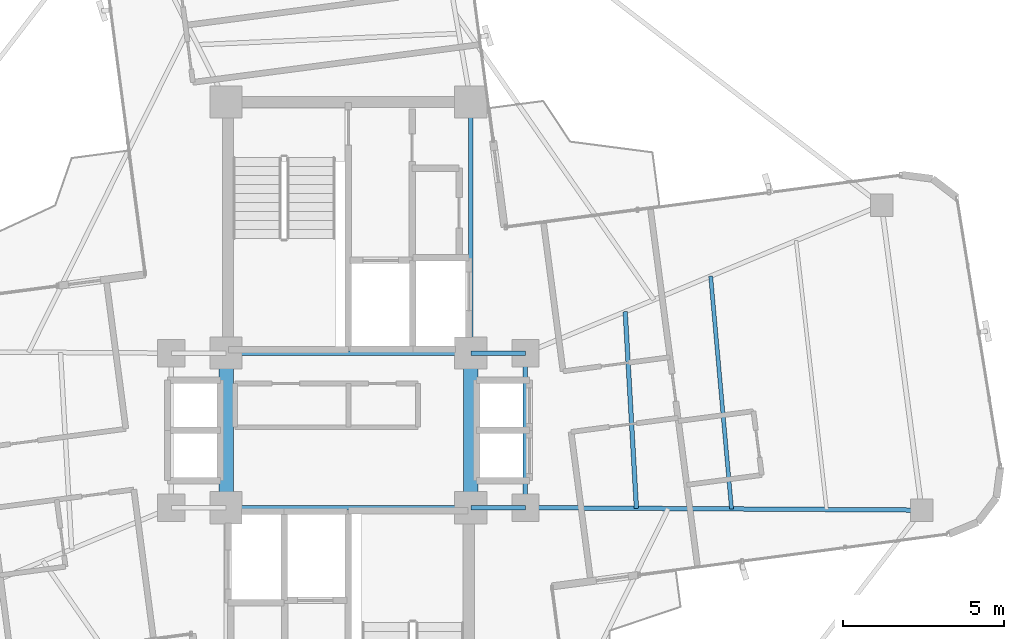
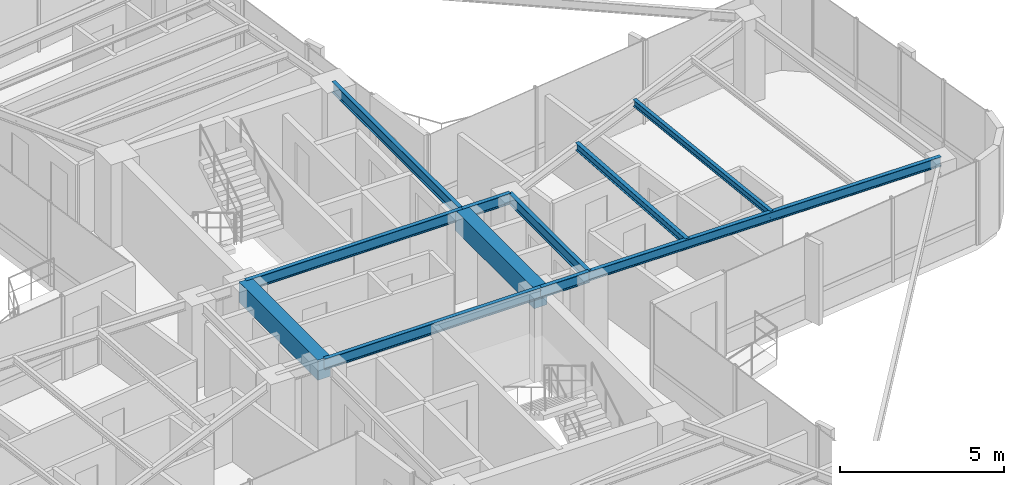
# One storey, part 10 of 22: 11 beams.
"""IFC4 building model written with IfcOpenShell, lengths in metres."""

import ifcopenshell
import ifcopenshell.guid

model = None  # the IFC model being written
_history = None  # IfcOwnerHistory: only IFC2X3 demands one
_inside = {}  # id of a spatial element -> (the spatial element, [elements in it])
_under = {}  # id of a project, library or spatial element -> (it, [spatial elements below it])
_declared = {}  # id of a project -> (the project, [libraries it declares])
_typed = {}  # id of a type object -> (the type object, [elements of that type])
_made_of = {}  # id of a material, layer set ... -> (it, [elements and type objects made of it])


def new_model(schema):
    """Start an empty IFC model of exactly this schema.

    Asked for "IFC4X3", IfcOpenShell would pick the latest addendum, in which some entities
    have other attributes; the version numbers below select the first issue.
    IFC2X3 requires an IfcOwnerHistory on every rooted entity: one is made here for all.
    """
    global model, _history
    if schema == "IFC4X3":
        model = ifcopenshell.file(schema_version=(4, 3, 0, 0))
    else:
        model = ifcopenshell.file(schema=schema)
    _inside.clear()
    _under.clear()
    _declared.clear()
    _typed.clear()
    _made_of.clear()
    _history = None
    if model.schema == "IFC2X3":
        org = make("IfcOrganization", Name="unknown")
        user = make(
            "IfcPersonAndOrganization",
            ThePerson=make("IfcPerson", FamilyName="unknown"),
            TheOrganization=org,
        )
        app = make(
            "IfcApplication",
            ApplicationDeveloper=org,
            Version="unknown",
            ApplicationFullName="unknown",
            ApplicationIdentifier="unknown",
        )
        _history = make(
            "IfcOwnerHistory",
            OwningUser=user,
            OwningApplication=app,
            ChangeAction="ADDED",
            CreationDate=0,
        )
    return model


def make(cls, **values):
    """One entity of the class cls with the attributes given. An attribute that is None is left unset."""
    return model.create_entity(
        cls, **{name: value for name, value in values.items() if value is not None}
    )


def rooted(cls, **values):
    """An entity with a GlobalId (a new one), such as an element, a storey or a relation."""
    return make(cls, GlobalId=ifcopenshell.guid.new(), OwnerHistory=_history, **values)


def si_unit(unit_type, name, prefix=None):
    """IfcSIUnit, for example si_unit("LENGTHUNIT", "METRE", prefix="MILLI")."""
    return make("IfcSIUnit", UnitType=unit_type, Prefix=prefix, Name=name)


def assignment(units):
    """IfcUnitAssignment: the units of a project."""
    return None if units is None else make("IfcUnitAssignment", Units=units)


def point(xyz):
    """IfcCartesianPoint."""
    return None if xyz is None else make("IfcCartesianPoint", Coordinates=xyz)


def direction(xyz):
    """IfcDirection."""
    return None if xyz is None else make("IfcDirection", DirectionRatios=xyz)


def frame(location, z_axis=None, x_axis=None):
    """IfcAxis2Placement3D, a coordinate frame: its origin and axes. An axis left out is left unset."""
    return make(
        "IfcAxis2Placement3D",
        Location=point(location),
        Axis=direction(z_axis),
        RefDirection=direction(x_axis),
    )


def frame_2d(location, x_axis=None):
    """IfcAxis2Placement2D, a coordinate frame in the plane: its origin and x axis."""
    return make(
        "IfcAxis2Placement2D", Location=point(location), RefDirection=direction(x_axis)
    )


def origin():
    """The frame at (0, 0, 0) with its axes left unset."""
    return frame((0.0, 0.0, 0.0))


def origin_2d():
    """The frame at (0, 0) in the plane with its x axis left unset."""
    return frame_2d((0.0, 0.0))


def place(relative_to, where):
    """IfcLocalPlacement: puts the frame where relative to a parent placement (None: the world)."""
    return make(
        "IfcLocalPlacement", PlacementRelTo=relative_to, RelativePlacement=where
    )


def context(
    kind, dimensions, precision=None, world=None, true_north=None, identifier=None
):
    """IfcGeometricRepresentationContext, for example the 3D "Model" context."""
    return make(
        "IfcGeometricRepresentationContext",
        ContextIdentifier=identifier,
        ContextType=kind,
        CoordinateSpaceDimension=dimensions,
        Precision=precision,
        WorldCoordinateSystem=world,
        TrueNorth=true_north,
    )


def subcontext(parent, identifier, kind, view, scale=None):
    """IfcGeometricRepresentationSubContext, for example "Body" below "Model"."""
    return make(
        "IfcGeometricRepresentationSubContext",
        ContextIdentifier=identifier,
        ContextType=kind,
        ParentContext=parent,
        TargetScale=scale,
        TargetView=view,
    )


def project(units=None, contexts=None):
    """IfcProject with its units and contexts."""
    return rooted(
        "IfcProject",
        Name="project",
        RepresentationContexts=contexts,
        UnitsInContext=assignment(units),
    )


def spatial(cls, under=None, at=None, **own):
    """A site, building, storey or space (cls), placed at a placement, below another one or the project."""
    s = rooted(cls, ObjectPlacement=at, **own)
    if under is not None:
        _under.setdefault(under.id(), (under, []))[1].append(s)
    return s


def profile(cls, at=None, kind="AREA", **sizes):
    """A parametric profile (cls). Its sizes go by their IFC names, for example OverallWidth=200.0."""
    return make(cls, ProfileType=kind, Position=at, **sizes)


def rectangle(**sizes):
    """IfcRectangleProfileDef."""
    return profile("IfcRectangleProfileDef", **sizes)


def i_section(**sizes):
    """IfcIShapeProfileDef."""
    return profile("IfcIShapeProfileDef", **sizes)


def extrude(swept, where, along, depth):
    """IfcExtrudedAreaSolid: the profile swept, set in the frame where, extruded along a direction by depth."""
    return make(
        "IfcExtrudedAreaSolid",
        SweptArea=swept,
        Position=where,
        ExtrudedDirection=direction(along),
        Depth=depth,
    )


def shape(context_of_items, identifier, shape_type, items):
    """IfcShapeRepresentation: the items that make up one representation, for example the "Body"."""
    return make(
        "IfcShapeRepresentation",
        ContextOfItems=context_of_items,
        RepresentationIdentifier=identifier,
        RepresentationType=shape_type,
        Items=items,
    )


def source(mapping_origin, context_of_items, identifier, shape_type, items):
    """IfcRepresentationMap: a shape defined once, which mapped items show again and again."""
    return make(
        "IfcRepresentationMap",
        MappingOrigin=mapping_origin,
        MappedRepresentation=shape(context_of_items, identifier, shape_type, items),
    )


def transform(
    local_origin,
    x_axis=None,
    y_axis=None,
    z_axis=None,
    scale=None,
    scale2=None,
    scale3=None,
    uniform=True,
):
    """IfcCartesianTransformationOperator3D, or its non-uniform kind. x_axis, y_axis, z_axis: its Axis1, 2, 3."""
    if uniform:
        return make(
            "IfcCartesianTransformationOperator3D",
            Axis1=direction(x_axis),
            Axis2=direction(y_axis),
            LocalOrigin=point(local_origin),
            Scale=scale,
            Axis3=direction(z_axis),
        )
    return make(
        "IfcCartesianTransformationOperator3DnonUniform",
        Axis1=direction(x_axis),
        Axis2=direction(y_axis),
        LocalOrigin=point(local_origin),
        Scale=scale,
        Axis3=direction(z_axis),
        Scale2=scale2,
        Scale3=scale3,
    )


def mapped(mapping_source, mapping_target):
    """IfcMappedItem: shows the shape of a source again, moved by a transform."""
    return make(
        "IfcMappedItem", MappingSource=mapping_source, MappingTarget=mapping_target
    )


def material(Name=None, Category=None):
    """IfcMaterial."""
    return make("IfcMaterial", Name=Name, Category=Category)


def material_profile(
    of_material, cross_section, Name=None, Category=None, Priority=None
):
    """IfcMaterialProfile: a cross section and its material."""
    return make(
        "IfcMaterialProfile",
        Name=Name,
        Material=of_material,
        Profile=cross_section,
        Priority=Priority,
        Category=Category,
    )


def profile_set(profiles, Name=None, composite=None):
    """IfcMaterialProfileSet."""
    return make(
        "IfcMaterialProfileSet",
        Name=Name,
        MaterialProfiles=profiles,
        CompositeProfile=composite,
    )


def made_of(thing, what):
    """Note that an element or type object is made of a material, layer set ...; save() writes the relation."""
    if what is not None:
        _made_of.setdefault(what.id(), (what, []))[1].append(thing)
    return thing


def type_object(cls, material=None, **own):
    """A type object (cls), such as IfcWallType, which elements share."""
    return made_of(rooted(cls, **own), material)


def element(
    cls,
    number,
    at=None,
    inside=None,
    cuts=None,
    type_object=None,
    material=None,
    context=None,
    identifier="Body",
    shape_type=None,
    held_by="IfcProductDefinitionShape",
    body=None,
    shapes=None,
    **own,
):
    """One element of the class cls, such as IfcWall. Its Tag is "e" and its number.

    at: its placement. inside: the storey or other place that contains it. cuts: it is an
    opening in that element (IfcRelVoidsElement). A single representation is given by context,
    identifier, shape_type and body (its items); several are given by shapes. held_by: the class
    of the entity that holds the representations. save() writes the other relations.
    """
    e = rooted(cls, Tag="e%d" % number, ObjectPlacement=at, **own)
    if body is not None:
        shapes = [shape(context, identifier, shape_type, body)]
    if shapes is not None:
        e.Representation = make(held_by, Representations=shapes)
    if inside is not None:
        _inside.setdefault(inside.id(), (inside, []))[1].append(e)
    if cuts is not None:
        rooted(
            "IfcRelVoidsElement", RelatingBuildingElement=cuts, RelatedOpeningElement=e
        )
    if type_object is not None:
        _typed.setdefault(type_object.id(), (type_object, []))[1].append(e)
    return made_of(e, material)


def aggregate(whole, parts):
    """IfcRelAggregates: a whole, such as a stair, and the parts it consists of."""
    return rooted("IfcRelAggregates", RelatingObject=whole, RelatedObjects=parts)


def save(model, path):
    """Write the relations noted so far, then the file.

    IfcRelAggregates (storeys below a building ...), IfcRelContainedInSpatialStructure (elements
    in a storey), IfcRelDefinesByType, IfcRelAssociatesMaterial and IfcRelDeclares: one each for
    every whole, place, type object, material and project.
    """
    for whole, parts in _under.values():
        aggregate(whole, parts)
    for where, things in _inside.values():
        rooted(
            "IfcRelContainedInSpatialStructure",
            RelatedElements=things,
            RelatingStructure=where,
        )
    for kind, things in _typed.values():
        rooted("IfcRelDefinesByType", RelatedObjects=things, RelatingType=kind)
    for what, things in _made_of.values():
        rooted("IfcRelAssociatesMaterial", RelatedObjects=things, RelatingMaterial=what)
    for by, libraries in _declared.values():
        rooted("IfcRelDeclares", RelatingContext=by, RelatedDefinitions=libraries)
    model.write(path)


model = new_model("IFC4")

# Units and contexts
model_context = context("Model", 3, precision=1e-05, world=origin(), true_north=direction((0.0, 1.0)))
body_context = subcontext(model_context, "Body", "Model", "MODEL_VIEW")
ifc_project = project(units=[si_unit("LENGTHUNIT", "METRE"), si_unit("AREAUNIT", "SQUARE_METRE"), si_unit("VOLUMEUNIT", "CUBIC_METRE"), si_unit("PLANEANGLEUNIT", "RADIAN"), si_unit("MASSUNIT", "GRAM", prefix="KILO")], contexts=[model_context])

# Site, building, storey
site_placement = place(None, origin())
site = spatial("IfcSite", under=ifc_project, at=site_placement, CompositionType="ELEMENT")
building_placement = place(site_placement, origin())
building = spatial("IfcBuilding", under=site, at=building_placement, Name="Sahyath Konkavel Grand Hotel", CompositionType="ELEMENT")
storey_placement = place(building_placement, frame((0.0, 0.0, 234.449951171875)))
storey = spatial("IfcBuildingStorey", under=building, at=storey_placement, Name="L65", CompositionType="ELEMENT", Elevation=234.449951171875)

# Beams
ifc_material_1 = material(Name="Steel E350", Category="steel")
ifc_material_profile_1 = material_profile(ifc_material_1, i_section(OverallWidth=0.139892578125, OverallDepth=0.39990234375, WebThickness=0.0087890625, FlangeThickness=0.01611328125, FilletRadius=0.013916015625, at=origin_2d()), Name="ISMB 400")
ifc_profile_set_1 = profile_set([ifc_material_profile_1], Name="Steel E350")
beam_type_1 = type_object("IfcBeamType", Name="BM-ISMB400", PredefinedType="BEAM", material=ifc_profile_set_1)
shared_shape_1 = source(origin(), body_context, "Body", "SweptSolid", [
    extrude(i_section(OverallWidth=0.139892578125, OverallDepth=0.39990234375, WebThickness=0.0087890625, FlangeThickness=0.01611328125, FilletRadius=0.013916015625, at=origin_2d()), origin(), (0.0, 0.0, 1.0), 7.60009765625),
])
for number, where, z_axis, x_axis, name in (
    (1, (-3.800048828125, 2.39990234375, 2.91015625), (1.0, 0.0, 0.0), (0.0, 1.0, 0.0), "str:bm:L65:NC-S"),
    (2, (-3.800048828125, -2.39990234375, 2.91015625), (1.0, 0.0, 0.0), (0.0, 1.0, 0.0), "str:bm:L65:SC-N"),
):
    element("IfcBeam", number, at=place(storey_placement, frame(where, z_axis=z_axis, x_axis=x_axis)), inside=storey, type_object=beam_type_1, Name=name, PredefinedType="BEAM", context=body_context, shape_type="MappedRepresentation", body=[
        mapped(shared_shape_1, transform((0.0, 0.0, 0.0), scale=1.0)),
    ])
shared_shape_2 = source(origin(), body_context, "Body", "SweptSolid", [
    extrude(i_section(OverallWidth=0.139892578125, OverallDepth=0.39990234375, WebThickness=0.0087890625, FlangeThickness=0.01611328125, FilletRadius=0.013916015625, at=origin_2d()), origin(), (0.0, 0.0, 1.0), 7.800048828125),
])
beam_1_placement = place(storey_placement, frame((3.800048828125, 2.39990234375, 2.91015625), z_axis=(0.0, 1.0, 0.0), x_axis=(-1.0, 0.0, 0.0)))
element("IfcBeam", 3, at=beam_1_placement, inside=storey, type_object=beam_type_1, Name="str:bm:L65:NC-E", PredefinedType="BEAM", context=body_context, shape_type="MappedRepresentation", body=[
    mapped(shared_shape_2, transform((0.0, 0.0, 0.0), scale=1.0)),
])
shared_shape_3 = source(origin(), body_context, "Body", "SweptSolid", [
    extrude(i_section(OverallWidth=0.139892578125, OverallDepth=0.39990234375, WebThickness=0.0087890625, FlangeThickness=0.01611328125, FilletRadius=0.013916015625, at=origin_2d()), origin(), (0.0, 0.0, 1.0), 1.699951171875),
])
for number, where, z_axis, x_axis, name in (
    (4, (3.800048828125, 2.39990234375, 2.91015625), (1.0, 0.0, 0.0), (0.0, 1.0, 0.0), "str:bm:L65:HB-NE"),
    (5, (3.800048828125, -2.39990234375, 2.91015625), (1.0, 0.0, 0.0), (0.0, 1.0, 0.0), "str:bm:L65:HB-SE"),
):
    element("IfcBeam", number, at=place(storey_placement, frame(where, z_axis=z_axis, x_axis=x_axis)), inside=storey, type_object=beam_type_1, Name=name, PredefinedType="BEAM", context=body_context, shape_type="MappedRepresentation", body=[
        mapped(shared_shape_3, transform((0.0, 0.0, 0.0), scale=1.0)),
    ])
shared_shape_4 = source(origin(), body_context, "Body", "SweptSolid", [
    extrude(i_section(OverallWidth=0.139892578125, OverallDepth=0.39990234375, WebThickness=0.0087890625, FlangeThickness=0.01611328125, FilletRadius=0.013916015625, at=origin_2d()), origin(), (0.0, 0.0, 1.0), 4.7998046875),
])
beam_2_placement = place(storey_placement, frame((5.5, -2.39990234375, 2.91015625), z_axis=(0.0, 1.0, 0.0), x_axis=(-1.0, 0.0, 0.0)))
element("IfcBeam", 6, at=beam_2_placement, inside=storey, type_object=beam_type_1, Name="str:bm:L65:HB-E", PredefinedType="BEAM", context=body_context, shape_type="MappedRepresentation", body=[
    mapped(shared_shape_4, transform((0.0, 0.0, 0.0), scale=1.0)),
])
ifc_material_2 = material(Name="Concrete C40/50", Category="concrete")
ifc_material_profile_2 = material_profile(ifc_material_2, rectangle(XDim=0.449951171875, YDim=0.75, at=origin_2d()), Name="RC 450x750")
ifc_profile_set_2 = profile_set([ifc_material_profile_2], Name="Concrete C40/50")
beam_type_2 = type_object("IfcBeamType", Name="BM-CB450x750", PredefinedType="LINTEL", material=ifc_profile_set_2)
shared_shape_5 = source(origin(), body_context, "Body", "SweptSolid", [
    extrude(rectangle(XDim=0.449951171875, YDim=0.75, at=origin_2d()), origin(), (0.0, 0.0, 1.0), 4.7998046875),
])
for number, where, z_axis, x_axis, name in (
    (7, (-3.800048828125, -2.39990234375, 2.735107421875), (0.0, 1.0, 0.0), (-1.0, 0.0, 0.0), "L65 Split-Core Coupling Beam West"),
    (8, (3.800048828125, -2.39990234375, 2.735107421875), (0.0, 1.0, 0.0), (-1.0, 0.0, 0.0), "L65 Split-Core Coupling Beam East"),
):
    element("IfcBeam", number, at=place(storey_placement, frame(where, z_axis=z_axis, x_axis=x_axis)), inside=storey, type_object=beam_type_2, Name=name, PredefinedType="LINTEL", context=body_context, shape_type="MappedRepresentation", body=[
        mapped(shared_shape_5, transform((0.0, 0.0, 0.0), scale=1.0)),
    ])
ifc_material_profile_3 = material_profile(ifc_material_1, i_section(OverallWidth=0.139892578125, OverallDepth=0.35009765625, WebThickness=0.008056640625, FlangeThickness=0.01416015625, FilletRadius=0.013916015625, at=origin_2d()), Name="ISMB 350")
ifc_profile_set_3 = profile_set([ifc_material_profile_3], Name="Steel E350")
beam_type_3 = type_object("IfcBeamType", Name="BM-ISMB350", PredefinedType="BEAM", material=ifc_profile_set_3)
shared_shape_6 = source(origin(), body_context, "Body", "SweptSolid", [
    extrude(i_section(OverallWidth=0.139892578125, OverallDepth=0.35009765625, WebThickness=0.008056640625, FlangeThickness=0.01416015625, FilletRadius=0.013916015625, at=origin_2d()), origin(), (0.0, 0.0, 1.0), 12.308837890625),
])
beam_3_placement = place(storey_placement, frame((5.5, -2.39990234375, 2.93505859375), z_axis=(0.999981096409, -0.006148725402, 0.0), x_axis=(0.006148725402, 0.999981096409, 0.0)))
element("IfcBeam", 9, at=beam_3_placement, inside=storey, type_object=beam_type_3, Name="L65 Cruciform Radial Girder EA", PredefinedType="BEAM", context=body_context, shape_type="MappedRepresentation", body=[
    mapped(shared_shape_6, transform((0.0, 0.0, 0.0), scale=1.0)),
])
ifc_material_profile_4 = material_profile(ifc_material_1, i_section(OverallWidth=0.139892578125, OverallDepth=0.27490234375, WebThickness=0.00634765625, FlangeThickness=0.0087890625, FilletRadius=0.012939453125, at=origin_2d()), Name="ISLB 275")
ifc_profile_set_4 = profile_set([ifc_material_profile_4], Name="Steel E350")
beam_type_4 = type_object("IfcBeamType", Name="BM-ISLB275", PredefinedType="BEAM", material=ifc_profile_set_4)
shared_shape_7 = source(origin(), body_context, "Body", "SweptSolid", [
    extrude(i_section(OverallWidth=0.139892578125, OverallDepth=0.27490234375, WebThickness=0.00634765625, FlangeThickness=0.0087890625, FilletRadius=0.012939453125, at=origin_2d()), origin(), (0.0, 0.0, 1.0), 6.119140625),
])
beam_4_placement = place(storey_placement, frame((8.9462890625, -2.421142578125, 2.97265625), z_axis=(-0.057054335484, 0.998371074702, 0.0), x_axis=(-0.998371074702, -0.057054335484, 0.0)))
element("IfcBeam", 10, at=beam_4_placement, inside=storey, type_object=beam_type_4, Name="L65 Secondary Floor Beam E-1", PredefinedType="BEAM", context=body_context, shape_type="MappedRepresentation", body=[
    mapped(shared_shape_7, transform((0.0, 0.0, 0.0), scale=1.0)),
])
ifc_material_profile_5 = material_profile(ifc_material_1, i_section(OverallWidth=0.125, OverallDepth=0.25, WebThickness=0.0068359375, FlangeThickness=0.012451171875, FilletRadius=0.012939453125, at=origin_2d()), Name="ISMB 250")
ifc_profile_set_5 = profile_set([ifc_material_profile_5], Name="Steel E350")
beam_type_5 = type_object("IfcBeamType", Name="BM-ISMB250", PredefinedType="BEAM", material=ifc_profile_set_5)
shared_shape_8 = source(origin(), body_context, "Body", "SweptSolid", [
    extrude(i_section(OverallWidth=0.125, OverallDepth=0.25, WebThickness=0.0068359375, FlangeThickness=0.012451171875, FilletRadius=0.012939453125, at=origin_2d()), origin(), (0.0, 0.0, 1.0), 7.2607421875),
])
beam_5_placement = place(storey_placement, frame((11.900390625, -2.439453125, 2.985107421875), z_axis=(-0.089341172622, 0.996001081764, 0.0), x_axis=(-0.996001081764, -0.089341172622, 0.0)))
element("IfcBeam", 11, at=beam_5_placement, inside=storey, type_object=beam_type_5, Name="L65 Secondary Floor Beam E-2", PredefinedType="BEAM", context=body_context, shape_type="MappedRepresentation", body=[
    mapped(shared_shape_8, transform((0.0, 0.0, 0.0), scale=1.0)),
])

save(model, "model.ifc")
